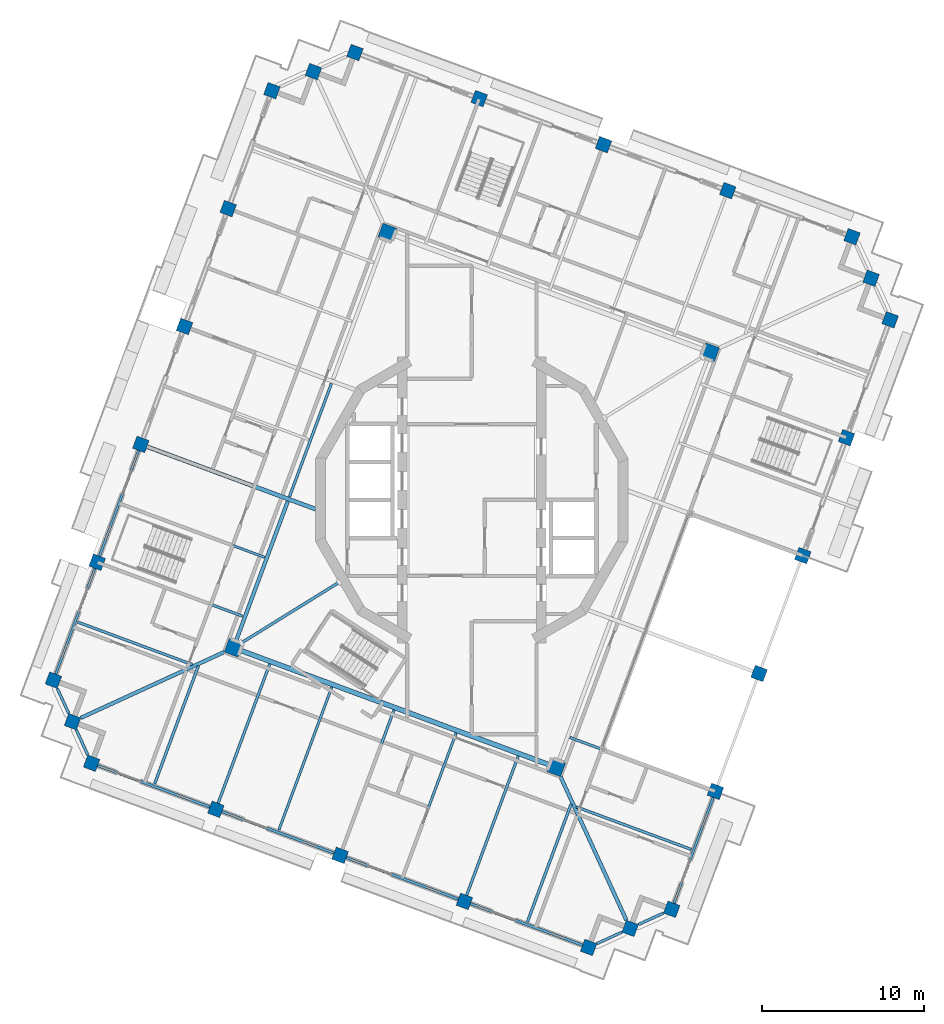
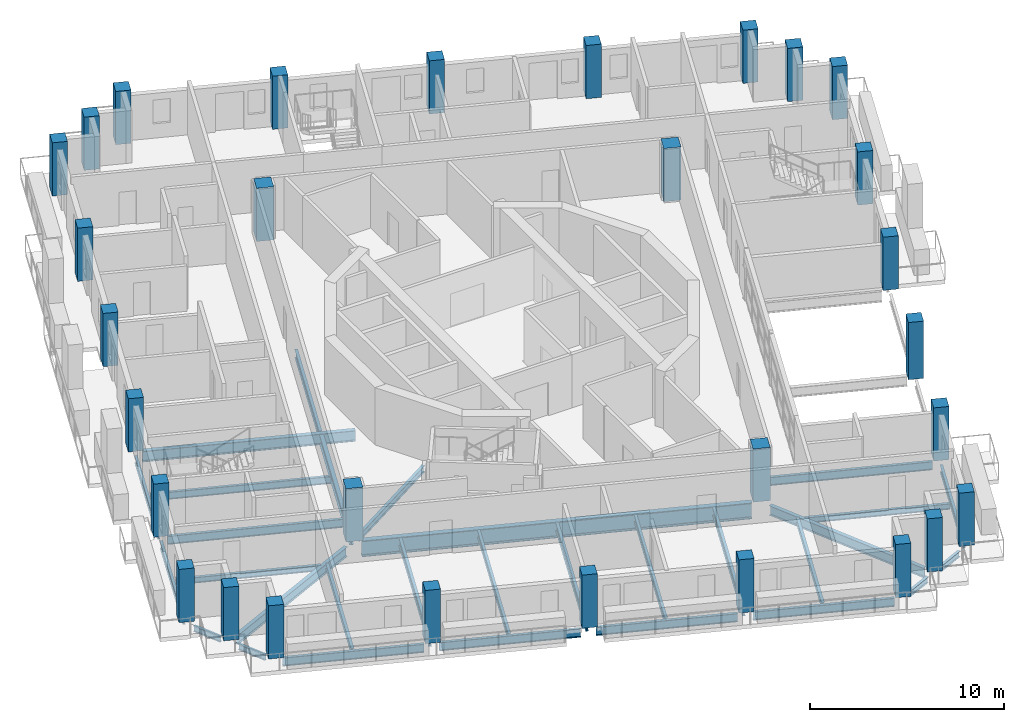
# One storey, part 1 of 19: 30 beams, 30 columns.
"""IFC4 building model written with IfcOpenShell, lengths in metres."""

from ifc_helpers import new_model, si_unit, direction, frame, origin, origin_2d, place, context, subcontext, project, spatial, rectangle, i_section, extrude, material, material_profile, profile_set, type_object, element, save


model = new_model("IFC4")

# Units and contexts
model_context = context("Model", 3, precision=1e-05, world=origin(), true_north=direction((0.0, 1.0)))
body_context = subcontext(model_context, "Body", "Model", "MODEL_VIEW")
ifc_project = project(units=[si_unit("LENGTHUNIT", "METRE"), si_unit("AREAUNIT", "SQUARE_METRE"), si_unit("VOLUMEUNIT", "CUBIC_METRE"), si_unit("PLANEANGLEUNIT", "RADIAN"), si_unit("MASSUNIT", "GRAM", prefix="KILO")], contexts=[model_context])

# Site, building, storey
site_placement = place(None, origin())
site = spatial("IfcSite", under=ifc_project, at=site_placement, CompositionType="ELEMENT")
building_placement = place(site_placement, origin())
building = spatial("IfcBuilding", under=site, at=building_placement, Name="Cantera Rosa Tower", CompositionType="ELEMENT")
storey_placement = place(building_placement, frame((0.0, 0.0, 331.300048828125)))
storey = spatial("IfcBuildingStorey", under=building, at=storey_placement, Name="L74", CompositionType="ELEMENT", Elevation=331.300048828125)

# Columns
ifc_material_1 = material(Name="Concrete C50/60", Category="concrete")
ifc_material_profile_1 = material_profile(ifc_material_1, rectangle(XDim=0.800048828125, YDim=0.800048828125, at=origin_2d()), Name="RC COLUMN RC800X800 C50/60")
ifc_profile_set_1 = profile_set([ifc_material_profile_1], Name="Concrete C50/60")
column_type_1 = type_object("IfcColumnType", Name="RC COLUMN RC800X800 C50/60", PredefinedType="COLUMN", material=ifc_profile_set_1)
for number, where, z_axis, x_axis, name in (
    (1, (23.526611328125, 16.2900390625, 0.0), (0.0, 0.0, 1.0), (0.347481234489, 0.937686936924, 0.0), "C-Z6-01 L74"),
    (2, (15.83740234375, 19.139404296875, 0.0), (0.0, 0.0, 1.0), (0.347481234489, 0.937686936924, 0.0), "C-Z6-02 L74"),
    (3, (8.1484375, 21.98876953125, 0.0), (0.0, 0.0, 1.0), (0.347481234489, 0.937686936924, 0.0), "C-Z6-03 L74"),
    (4, (0.45947265625, 24.838134765625, 0.0), (0.0, 0.0, 1.0), (0.347481234489, 0.937686936924, 0.0), "C-Z6-04 L74"),
    (5, (-7.229736328125, 27.6875, 0.0), (0.0, 0.0, 1.0), (0.347481234489, 0.937686936924, 0.0), "C-Z6-05 L74"),
    (6, (-9.800048828125, 26.507080078125, 0.0), (0.0, 0.0, 1.0), (0.347481234489, 0.937686936924, 0.0), "C-Z6-06 L74"),
    (7, (-12.370361328125, 25.32666015625, 0.0), (0.0, 0.0, 1.0), (0.347481234489, 0.937686936924, 0.0), "C-Z6-07 L74"),
    (8, (-15.07373046875, 18.031494140625, 0.0), (0.0, 0.0, 1.0), (0.347481234489, 0.937686936924, 0.0), "C-Z6-08 L74"),
    (9, (-17.777099609375, 10.736328125, 0.0), (0.0, 0.0, 1.0), (0.347481234489, 0.937686936924, 0.0), "C-Z6-09 L74"),
    (10, (-20.48046875, 3.44091796875, 0.0), (0.0, 0.0, 1.0), (0.347481234489, 0.937686936924, 0.0), "C-Z6-10 L74"),
    (11, (-23.183837890625, -3.854248046875, 0.0), (0.0, 0.0, 1.0), (0.347481234489, 0.937686936924, 0.0), "C-Z6-11 L74"),
    (12, (-25.88720703125, -11.1494140625, 0.0), (0.0, 0.0, 1.0), (0.347481234489, 0.937686936924, 0.0), "C-Z6-12 L74"),
    (13, (-24.70703125, -13.7197265625, 0.0), (0.0, 0.0, 1.0), (0.347481234489, 0.937686936924, 0.0), "C-Z6-13 L74"),
    (14, (-23.526611328125, -16.2900390625, 0.0), (0.0, 0.0, 1.0), (0.347481234489, 0.937686936924, 0.0), "C-Z6-14 L74"),
    (15, (-15.83740234375, -19.139404296875, 0.0), (0.0, 0.0, 1.0), (0.347481234489, 0.937686936924, 0.0), "C-Z6-15 L74"),
    (16, (-8.1484375, -21.98876953125, 0.0), (0.0, 0.0, 1.0), (0.347481234489, 0.937686936924, 0.0), "C-Z6-16 L74"),
    (17, (-0.45947265625, -24.838134765625, 0.0), (0.0, 0.0, 1.0), (0.347481234489, 0.937686936924, 0.0), "C-Z6-17 L74"),
    (18, (7.229736328125, -27.6875, 0.0), (0.0, 0.0, 1.0), (0.347481234489, 0.937686936924, 0.0), "C-Z6-18 L74"),
    (19, (9.800048828125, -26.507080078125, 0.0), (0.0, 0.0, 1.0), (0.347481234489, 0.937686936924, 0.0), "C-Z6-19 L74"),
    (20, (12.370361328125, -25.32666015625, 0.0), (0.0, 0.0, 1.0), (0.347481234489, 0.937686936924, 0.0), "C-Z6-20 L74"),
    (21, (15.07373046875, -18.031494140625, 0.0), (0.0, 0.0, 1.0), (0.347481234489, 0.937686936924, 0.0), "C-Z6-21 L74"),
):
    element("IfcColumn", number, at=place(storey_placement, frame(where, z_axis=z_axis, x_axis=x_axis)), inside=storey, type_object=column_type_1, Name=name, PredefinedType="COLUMN", context=body_context, shape_type="SweptSolid", body=[
        extrude(rectangle(XDim=0.800048828125, YDim=0.800048828125, at=origin_2d()), origin(), (0.0, 0.0, 1.0), 3.349853515625),
    ])
column_placement = place(storey_placement, frame((17.777099609375, -10.736328125, -0.25), z_axis=(0.0, 0.0, 1.0), x_axis=(0.347481234489, 0.937686936924, 0.0)))
element("IfcColumn", 22, at=column_placement, inside=storey, type_object=column_type_1, Name="C-Z6-22 L74", PredefinedType="COLUMN", context=body_context, shape_type="SweptSolid", body=[
    extrude(rectangle(XDim=0.800048828125, YDim=0.800048828125, at=origin_2d()), origin(), (0.0, 0.0, 1.0), 3.599853515625),
])
for number, where, z_axis, x_axis, name in (
    (23, (20.48046875, -3.44091796875, 0.0), (0.0, 0.0, 1.0), (0.347481234489, 0.937686936924, 0.0), "C-Z6-23 L74"),
    (24, (23.183837890625, 3.854248046875, 0.0), (0.0, 0.0, 1.0), (0.347481234489, 0.937686936924, 0.0), "C-Z6-24 L74"),
    (25, (25.88720703125, 11.1494140625, 0.0), (0.0, 0.0, 1.0), (0.347481234489, 0.937686936924, 0.0), "C-Z6-25 L74"),
    (26, (24.70703125, 13.7197265625, 0.0), (0.0, 0.0, 1.0), (0.347481234489, 0.937686936924, 0.0), "C-Z6-26 L74"),
):
    element("IfcColumn", number, at=place(storey_placement, frame(where, z_axis=z_axis, x_axis=x_axis)), inside=storey, type_object=column_type_1, Name=name, PredefinedType="COLUMN", context=body_context, shape_type="SweptSolid", body=[
        extrude(rectangle(XDim=0.800048828125, YDim=0.800048828125, at=origin_2d()), origin(), (0.0, 0.0, 1.0), 3.349853515625),
    ])
ifc_material_2 = material(Name="Concrete C50/60", Category="concrete")
ifc_material_profile_2 = material_profile(ifc_material_2, rectangle(XDim=0.89990234375, YDim=0.89990234375, at=origin_2d()), Name="RC RING COLUMN RC900X900 C50/60")
ifc_profile_set_2 = profile_set([ifc_material_profile_2], Name="Concrete C50/60")
column_type_2 = type_object("IfcColumnType", Name="RC RING COLUMN RC900X900 C50/60", PredefinedType="COLUMN", material=ifc_profile_set_2)
for number, where, z_axis, x_axis, name in (
    (27, (-5.225830078125, 16.546875, 0.0), (0.0, 0.0, 1.0), (0.347481234489, 0.937686936924, 0.0), "CI-Z6-1 L74"),
    (28, (-14.746826171875, -9.145751953125, 0.0), (0.0, 0.0, 1.0), (0.347481234489, 0.937686936924, 0.0), "CI-Z6-2 L74"),
    (29, (5.225830078125, -16.546875, 0.0), (0.0, 0.0, 1.0), (0.347481234489, 0.937686936924, 0.0), "CI-Z6-3 L74"),
    (30, (14.746826171875, 9.145751953125, 0.0), (0.0, 0.0, 1.0), (0.347481234489, 0.937686936924, 0.0), "CI-Z6-4 L74"),
):
    element("IfcColumn", number, at=place(storey_placement, frame(where, z_axis=z_axis, x_axis=x_axis)), inside=storey, type_object=column_type_2, Name=name, PredefinedType="COLUMN", context=body_context, shape_type="SweptSolid", body=[
        extrude(rectangle(XDim=0.89990234375, YDim=0.89990234375, at=origin_2d()), origin(), (0.0, 0.0, 1.0), 3.349853515625),
    ])

# Beams
ifc_material_3 = material(Name="Steel ASTM A992 (Fy 345 MPa)", Category="steel")
ifc_material_profile_3 = material_profile(ifc_material_3, i_section(OverallWidth=0.302001953125, OverallDepth=1.010009765625, WebThickness=0.02099609375, FlangeThickness=0.0400390625, FilletRadius=0.030029296875, at=origin_2d()), Name="W1000X350")
ifc_profile_set_3 = profile_set([ifc_material_profile_3], Name="Steel ASTM A992 (Fy 345 MPa)")
beam_type_1 = type_object("IfcBeamType", Name="STEEL BEAM W1000X350", PredefinedType="BEAM", material=ifc_profile_set_3)
beam_1_placement = place(storey_placement, frame((4.803955078125, -16.390625, -0.755126953125), z_axis=(-0.937687392162, 0.347480006017, 0.0), x_axis=(-0.347480006017, -0.937687392162, 0.0)))
element("IfcBeam", 31, at=beam_1_placement, inside=storey, type_object=beam_type_1, Name="RB-Z6-08 L74", PredefinedType="BEAM", context=body_context, shape_type="SweptSolid", body=[
    extrude(i_section(OverallWidth=0.302001953125, OverallDepth=1.010009765625, WebThickness=0.02099609375, FlangeThickness=0.0400390625, FilletRadius=0.030029296875, at=origin_2d()), origin(), (0.0, 0.0, 1.0), 20.400146484375),
])
ifc_material_4 = material(Name="Steel ASTM A992 (Fy 345 MPa)", Category="steel")
ifc_material_profile_4 = material_profile(ifc_material_4, i_section(OverallWidth=0.177978515625, OverallDepth=0.406005859375, WebThickness=0.0078125, FlangeThickness=0.0126953125, FilletRadius=0.01025390625, at=origin_2d()), Name="W410X60")
ifc_profile_set_4 = profile_set([ifc_material_profile_4], Name="Steel ASTM A992 (Fy 345 MPa)")
beam_type_2 = type_object("IfcBeamType", Name="STEEL BEAM W410X60", PredefinedType="BEAM", material=ifc_profile_set_4)
beam_2_placement = place(storey_placement, frame((-14.262451171875, -8.84521484375, -0.453125), z_axis=(0.849840939707, 0.527039255841, 0.0), x_axis=(-0.527039255841, 0.849840939707, 0.0)))
element("IfcBeam", 32, at=beam_2_placement, inside=storey, type_object=beam_type_2, Name="PG-Z6-01 L74", PredefinedType="BEAM", context=body_context, shape_type="SweptSolid", body=[
    extrude(i_section(OverallWidth=0.177978515625, OverallDepth=0.406005859375, WebThickness=0.0078125, FlangeThickness=0.0126953125, FilletRadius=0.01025390625, at=origin_2d()), origin(), (0.0, 0.0, 1.0), 7.118408203125),
])
ifc_material_5 = material(Name="Steel ASTM A992 (Fy 345 MPa)", Category="steel")
ifc_material_profile_5 = material_profile(ifc_material_5, i_section(OverallWidth=0.166015625, OverallDepth=0.528076171875, WebThickness=0.009765625, FlangeThickness=0.013671875, FilletRadius=0.0126953125, at=origin_2d()), Name="W530X74")
ifc_profile_set_5 = profile_set([ifc_material_profile_5], Name="Steel ASTM A992 (Fy 345 MPa)")
beam_type_3 = type_object("IfcBeamType", Name="STEEL BEAM W530X74", PredefinedType="BEAM", material=ifc_profile_set_5)
for number, where, z_axis, x_axis, name in (
    (33, (-22.808837890625, -3.9931640625, -0.51416015625), (0.937688566, -0.347476838353, 0.0), (0.347476838353, 0.937688566, 0.0), "G-Z6-07 L74"),
    (34, (14.69873046875, -17.892333984375, -0.51416015625), (-0.937688566, 0.347476838353, 0.0), (-0.347476838353, -0.937688566, 0.0), "G-Z6-08 L74"),
    (35, (-15.698486328125, -18.764404296875, -0.51416015625), (0.347476838353, 0.937688566, 0.0), (-0.937688566, 0.347476838353, 0.0), "G-Z6-12 L74"),
    (36, (-8.009521484375, -21.61376953125, -0.51416015625), (0.34750017104, 0.937679919337, 0.0), (-0.937679919337, 0.34750017104, 0.0), "G-Z6-13 L74"),
    (37, (-0.3203125, -24.463134765625, -0.51416015625), (0.347476838353, 0.937688566, 0.0), (-0.937688566, 0.347476838353, 0.0), "G-Z6-14 L74"),
):
    element("IfcBeam", number, at=place(storey_placement, frame(where, z_axis=z_axis, x_axis=x_axis)), inside=storey, type_object=beam_type_3, Name=name, PredefinedType="BEAM", context=body_context, shape_type="SweptSolid", body=[
        extrude(i_section(OverallWidth=0.166015625, OverallDepth=0.528076171875, WebThickness=0.009765625, FlangeThickness=0.013671875, FilletRadius=0.0126953125, at=origin_2d()), origin(), (0.0, 0.0, 1.0), 9.199951171875),
    ])
beam_3_placement = place(storey_placement, frame((-11.285888671875, 0.19384765625, -0.51416015625), z_axis=(0.347486566882, 0.937684960867, 0.0), x_axis=(-0.937684960867, 0.347486566882, 0.0)))
element("IfcBeam", 38, at=beam_3_placement, inside=storey, type_object=beam_type_3, Name="RB-Z6-02 L74", PredefinedType="BEAM", context=body_context, shape_type="SweptSolid", body=[
    extrude(i_section(OverallWidth=0.166015625, OverallDepth=0.528076171875, WebThickness=0.009765625, FlangeThickness=0.013671875, FilletRadius=0.0126953125, at=origin_2d()), origin(), (0.0, 0.0, 1.0), 7.479736328125),
])
ifc_material_6 = material(Name="Steel ASTM A992 (Fy 345 MPa)", Category="steel")
ifc_material_profile_6 = material_profile(ifc_material_6, i_section(OverallWidth=0.22802734375, OverallDepth=0.60205078125, WebThickness=0.010498046875, FlangeThickness=0.014892578125, FilletRadius=0.0126953125, at=origin_2d()), Name="W610X101")
ifc_profile_set_6 = profile_set([ifc_material_profile_6], Name="Steel ASTM A992 (Fy 345 MPa)")
beam_type_4 = type_object("IfcBeamType", Name="STEEL BEAM W610X101", PredefinedType="BEAM", material=ifc_profile_set_6)
for number, where, z_axis, x_axis, name in (
    (39, (-24.19287109375, -13.483642578125, -0.551025390625), (0.908747889595, 0.417345508131, 0.0), (-0.417345508131, 0.908747889595, 0.0), "CB-Z6-02 L74"),
    (40, (9.56396484375, -25.992919921875, -0.551025390625), (-0.417345508131, 0.908747889595, 0.0), (-0.908747889595, -0.417345508131, 0.0), "CB-Z6-03 L74"),
):
    element("IfcBeam", number, at=place(storey_placement, frame(where, z_axis=z_axis, x_axis=x_axis)), inside=storey, type_object=beam_type_4, Name=name, PredefinedType="BEAM", context=body_context, shape_type="SweptSolid", body=[
        extrude(i_section(OverallWidth=0.22802734375, OverallDepth=0.60205078125, WebThickness=0.010498046875, FlangeThickness=0.014892578125, FilletRadius=0.0126953125, at=origin_2d()), origin(), (0.0, 0.0, 1.0), 9.758056640625),
    ])
beam_4_placement = place(storey_placement, frame((-14.590576171875, -8.7236328125, -0.551025390625), z_axis=(0.347498244979, 0.937680633125, 0.0), x_axis=(-0.937680633125, 0.347498244979, 0.0)))
element("IfcBeam", 41, at=beam_4_placement, inside=storey, type_object=beam_type_4, Name="RB-Z6-01 L74", PredefinedType="BEAM", context=body_context, shape_type="SweptSolid", body=[
    extrude(i_section(OverallWidth=0.22802734375, OverallDepth=0.60205078125, WebThickness=0.010498046875, FlangeThickness=0.014892578125, FilletRadius=0.0126953125, at=origin_2d()), origin(), (0.0, 0.0, 1.0), 9.2099609375),
])
ifc_material_7 = material(Name="Steel ASTM A992 (Fy 345 MPa)", Category="steel")
ifc_material_profile_7 = material_profile(ifc_material_7, i_section(OverallWidth=0.25390625, OverallDepth=0.677978515625, WebThickness=0.01171875, FlangeThickness=0.016357421875, FilletRadius=0.01513671875, at=origin_2d()), Name="W690X125")
ifc_profile_set_7 = profile_set([ifc_material_profile_7], Name="Steel ASTM A992 (Fy 345 MPa)")
beam_type_5 = type_object("IfcBeamType", Name="STEEL BEAM W690X125", PredefinedType="BEAM", material=ifc_profile_set_7)
beam_5_placement = place(storey_placement, frame((-20.10546875, 3.302001953125, -0.589111328125), z_axis=(0.937687416585, -0.347479940109, 0.0), x_axis=(0.347479940109, 0.937687416585, 0.0)))
element("IfcBeam", 42, at=beam_5_placement, inside=storey, type_object=beam_type_5, Name="G-Z6-06 L74", PredefinedType="BEAM", context=body_context, shape_type="SweptSolid", body=[
    extrude(i_section(OverallWidth=0.25390625, OverallDepth=0.677978515625, WebThickness=0.01171875, FlangeThickness=0.016357421875, FilletRadius=0.01513671875, at=origin_2d()), origin(), (0.0, 0.0, 1.0), 11.140380859375),
])
ifc_material_8 = material(Name="Steel ASTM A992 (Fy 345 MPa)", Category="steel")
ifc_material_profile_8 = material_profile(ifc_material_8, i_section(OverallWidth=0.1708984375, OverallDepth=0.35595703125, WebThickness=0.00732421875, FlangeThickness=0.01171875, FilletRadius=0.010009765625, at=origin_2d()), Name="W360X51")
ifc_profile_set_8 = profile_set([ifc_material_profile_8], Name="Steel ASTM A992 (Fy 345 MPa)")
beam_type_6 = type_object("IfcBeamType", Name="STEEL JOIST W360X51", PredefinedType="JOIST", material=ifc_profile_set_8)
beam_6_placement = place(storey_placement, frame((-24.39501953125, -7.553955078125, -0.427978515625), z_axis=(0.937686277131, -0.347483014951, 0.0), x_axis=(0.347483014951, 0.937686277131, 0.0)))
element("IfcBeam", 43, at=beam_6_placement, inside=storey, type_object=beam_type_6, Name="B-Z6-09 L74", PredefinedType="JOIST", context=body_context, shape_type="SweptSolid", body=[
    extrude(i_section(OverallWidth=0.1708984375, OverallDepth=0.35595703125, WebThickness=0.00732421875, FlangeThickness=0.01171875, FilletRadius=0.010009765625, at=origin_2d()), origin(), (0.0, 0.0, 1.0), 7.590087890625),
])
beam_7_placement = place(storey_placement, frame((13.581298828125, -21.626953125, -0.427978515625), z_axis=(-0.93768239316, 0.347493495705, 0.0), x_axis=(-0.347493495705, -0.93768239316, 0.0)))
element("IfcBeam", 44, at=beam_7_placement, inside=storey, type_object=beam_type_6, Name="B-Z6-10 L74", PredefinedType="JOIST", context=body_context, shape_type="SweptSolid", body=[
    extrude(i_section(OverallWidth=0.1708984375, OverallDepth=0.35595703125, WebThickness=0.00732421875, FlangeThickness=0.01171875, FilletRadius=0.010009765625, at=origin_2d()), origin(), (0.0, 0.0, 1.0), 7.58984375),
])
for number, where, z_axis, x_axis, name in (
    (45, (-19.6298828125, -17.573974609375, -0.427978515625), (0.347491728417, 0.937683048093, 0.0), (-0.937683048093, 0.347491728417, 0.0), "B-Z6-15 L74"),
    (46, (3.437255859375, -26.1220703125, -0.427978515625), (0.347491728417, 0.937683048093, 0.0), (-0.937683048093, 0.347491728417, 0.0), "B-Z6-18 L74"),
):
    element("IfcBeam", number, at=place(storey_placement, frame(where, z_axis=z_axis, x_axis=x_axis)), inside=storey, type_object=beam_type_6, Name=name, PredefinedType="JOIST", context=body_context, shape_type="SweptSolid", body=[
        extrude(i_section(OverallWidth=0.1708984375, OverallDepth=0.35595703125, WebThickness=0.00732421875, FlangeThickness=0.01171875, FilletRadius=0.010009765625, at=origin_2d()), origin(), (0.0, 0.0, 1.0), 7.800048828125),
    ])
ifc_material_9 = material(Name="Steel ASTM A992 (Fy 345 MPa)", Category="steel")
ifc_material_profile_9 = material_profile(ifc_material_9, i_section(OverallWidth=0.154052734375, OverallDepth=0.4599609375, WebThickness=0.009033203125, FlangeThickness=0.015380859375, FilletRadius=0.01025390625, at=origin_2d()), Name="W460X68")
ifc_profile_set_9 = profile_set([ifc_material_profile_9], Name="Steel ASTM A992 (Fy 345 MPa)")
beam_type_7 = type_object("IfcBeamType", Name="STEEL JOIST W460X68", PredefinedType="JOIST", material=ifc_profile_set_9)
beam_8_placement = place(storey_placement, frame((-21.691650390625, -0.2587890625, -0.47998046875), z_axis=(0.937689536508, -0.347474219364, 0.0), x_axis=(0.347474219364, 0.937689536508, 0.0)))
element("IfcBeam", 47, at=beam_8_placement, inside=storey, type_object=beam_type_7, Name="B-Z6-08 L74", PredefinedType="JOIST", context=body_context, shape_type="SweptSolid", body=[
    extrude(i_section(OverallWidth=0.154052734375, OverallDepth=0.4599609375, WebThickness=0.009033203125, FlangeThickness=0.015380859375, FilletRadius=0.01025390625, at=origin_2d()), origin(), (0.0, 0.0, 1.0), 9.4501953125),
])
for number, where, z_axis, x_axis, name in (
    (48, (-11.94091796875, -20.42333984375, -0.47998046875), (0.347482637031, 0.937686417179, 0.0), (-0.937686417179, 0.347482637031, 0.0), "B-Z6-16 L74"),
    (49, (-4.251708984375, -23.272705078125, -0.47998046875), (0.347482637031, 0.937686417179, 0.0), (-0.937686417179, 0.347482637031, 0.0), "B-Z6-17 L74"),
):
    element("IfcBeam", number, at=place(storey_placement, frame(where, z_axis=z_axis, x_axis=x_axis)), inside=storey, type_object=beam_type_7, Name=name, PredefinedType="JOIST", context=body_context, shape_type="SweptSolid", body=[
        extrude(i_section(OverallWidth=0.154052734375, OverallDepth=0.4599609375, WebThickness=0.009033203125, FlangeThickness=0.015380859375, FilletRadius=0.01025390625, at=origin_2d()), origin(), (0.0, 0.0, 1.0), 9.449951171875),
    ])
ifc_material_10 = material(Name="Steel ASTM A992 (Fy 345 MPa)", Category="steel")
ifc_material_profile_10 = material_profile(ifc_material_10, i_section(OverallWidth=0.1708984375, OverallDepth=0.35595703125, WebThickness=0.00732421875, FlangeThickness=0.01171875, FilletRadius=0.010009765625, at=origin_2d()), Name="W360X51")
ifc_profile_set_10 = profile_set([ifc_material_profile_10], Name="Steel ASTM A992 (Fy 345 MPa)")
beam_type_8 = type_object("IfcBeamType", Name="STEEL SPANDREL BEAM W360X51", PredefinedType="SPANDREL", material=ifc_profile_set_10)
for number, where, z_axis, x_axis, name in (
    (50, (-25.651123046875, -11.66357421875, -0.427978515625), (0.417268968709, -0.908783036677, 0.0), (0.908783036677, 0.417268968709, 0.0), "EB-Z6-12 L74"),
    (51, (-24.470947265625, -14.23388671875, -0.427978515625), (0.417387791404, -0.908728469669, 0.0), (0.908728469669, 0.417387791404, 0.0), "EB-Z6-13 L74"),
):
    element("IfcBeam", number, at=place(storey_placement, frame(where, z_axis=z_axis, x_axis=x_axis)), inside=storey, type_object=beam_type_8, Name=name, PredefinedType="SPANDREL", context=body_context, shape_type="SweptSolid", body=[
        extrude(i_section(OverallWidth=0.1708984375, OverallDepth=0.35595703125, WebThickness=0.00732421875, FlangeThickness=0.01171875, FilletRadius=0.010009765625, at=origin_2d()), origin(), (0.0, 0.0, 1.0), 1.69677734375),
    ])
for number, where, z_axis, x_axis, name in (
    (52, (7.74365234375, -27.451416015625, -0.427978515625), (0.908753529973, 0.417333226286, 0.0), (-0.417333226286, 0.908753529973, 0.0), "EB-Z6-18 L74"),
    (53, (10.31396484375, -26.27099609375, -0.427978515625), (0.908753529973, 0.417333226286, 0.0), (-0.417333226286, 0.908753529973, 0.0), "EB-Z6-19 L74"),
):
    element("IfcBeam", number, at=place(storey_placement, frame(where, z_axis=z_axis, x_axis=x_axis)), inside=storey, type_object=beam_type_8, Name=name, PredefinedType="SPANDREL", context=body_context, shape_type="SweptSolid", body=[
        extrude(i_section(OverallWidth=0.1708984375, OverallDepth=0.35595703125, WebThickness=0.00732421875, FlangeThickness=0.01171875, FilletRadius=0.010009765625, at=origin_2d()), origin(), (0.0, 0.0, 1.0), 1.697021484375),
    ])
ifc_material_11 = material(Name="Steel ASTM A992 (Fy 345 MPa)", Category="steel")
ifc_material_profile_11 = material_profile(ifc_material_11, i_section(OverallWidth=0.154052734375, OverallDepth=0.4599609375, WebThickness=0.009033203125, FlangeThickness=0.015380859375, FilletRadius=0.01025390625, at=origin_2d()), Name="W460X68")
ifc_profile_set_11 = profile_set([ifc_material_profile_11], Name="Steel ASTM A992 (Fy 345 MPa)")
beam_type_9 = type_object("IfcBeamType", Name="STEEL SPANDREL BEAM W460X68", PredefinedType="SPANDREL", material=ifc_profile_set_11)
beam_9_placement = place(storey_placement, frame((-20.61962890625, 3.06591796875, -0.47998046875), z_axis=(-0.347471562124, -0.937690521182, 0.0), x_axis=(0.937690521182, -0.347471562124, 0.0)))
element("IfcBeam", 54, at=beam_9_placement, inside=storey, type_object=beam_type_9, Name="EB-Z6-10 L74", PredefinedType="SPANDREL", context=body_context, shape_type="SweptSolid", body=[
    extrude(i_section(OverallWidth=0.154052734375, OverallDepth=0.4599609375, WebThickness=0.009033203125, FlangeThickness=0.015380859375, FilletRadius=0.01025390625, at=origin_2d()), origin(), (0.0, 0.0, 1.0), 6.979736328125),
])
beam_10_placement = place(storey_placement, frame((-23.322998046875, -4.229248046875, -0.47998046875), z_axis=(-0.347460165909, -0.937694744097, 0.0), x_axis=(0.937694744097, -0.347460165909, 0.0)))
element("IfcBeam", 55, at=beam_10_placement, inside=storey, type_object=beam_type_9, Name="EB-Z6-11 L74", PredefinedType="SPANDREL", context=body_context, shape_type="SweptSolid", body=[
    extrude(i_section(OverallWidth=0.154052734375, OverallDepth=0.4599609375, WebThickness=0.009033203125, FlangeThickness=0.015380859375, FilletRadius=0.01025390625, at=origin_2d()), origin(), (0.0, 0.0, 1.0), 6.97998046875),
])
beam_11_placement = place(storey_placement, frame((12.50927734375, -24.95166015625, -0.47998046875), z_axis=(0.347490919506, 0.937683347864, 0.0), x_axis=(-0.937683347864, 0.347490919506, 0.0)))
element("IfcBeam", 56, at=beam_11_placement, inside=storey, type_object=beam_type_9, Name="EB-Z6-20 L74", PredefinedType="SPANDREL", context=body_context, shape_type="SweptSolid", body=[
    extrude(i_section(OverallWidth=0.154052734375, OverallDepth=0.4599609375, WebThickness=0.009033203125, FlangeThickness=0.015380859375, FilletRadius=0.01025390625, at=origin_2d()), origin(), (0.0, 0.0, 1.0), 6.980224609375),
])
ifc_material_12 = material(Name="Steel ASTM A992 (Fy 345 MPa)", Category="steel")
ifc_material_profile_12 = material_profile(ifc_material_12, i_section(OverallWidth=0.166015625, OverallDepth=0.528076171875, WebThickness=0.009765625, FlangeThickness=0.013671875, FilletRadius=0.0126953125, at=origin_2d()), Name="W530X74")
ifc_profile_set_12 = profile_set([ifc_material_profile_12], Name="Steel ASTM A992 (Fy 345 MPa)")
beam_type_10 = type_object("IfcBeamType", Name="STEEL SPANDREL BEAM W530X74", PredefinedType="SPANDREL", material=ifc_profile_set_12)
beam_12_placement = place(storey_placement, frame((-23.1513671875, -16.428955078125, -0.51416015625), z_axis=(0.937676706507, -0.347508840281, 0.0), x_axis=(0.347508840281, 0.937676706507, 0.0)))
element("IfcBeam", 57, at=beam_12_placement, inside=storey, type_object=beam_type_10, Name="EB-Z6-14 L74", PredefinedType="SPANDREL", context=body_context, shape_type="SweptSolid", body=[
    extrude(i_section(OverallWidth=0.166015625, OverallDepth=0.528076171875, WebThickness=0.009765625, FlangeThickness=0.013671875, FilletRadius=0.0126953125, at=origin_2d()), origin(), (0.0, 0.0, 1.0), 7.39990234375),
])
for number, where, z_axis, x_axis, name in (
    (58, (-15.46240234375, -19.2783203125, -0.51416015625), (0.937680690562, -0.34749808999, 0.0), (0.34749808999, 0.937680690562, 0.0), "EB-Z6-15 L74"),
    (59, (-7.7734375, -22.127685546875, -0.51416015625), (0.937680690562, -0.34749808999, 0.0), (0.34749808999, 0.937680690562, 0.0), "EB-Z6-16 L74"),
):
    element("IfcBeam", number, at=place(storey_placement, frame(where, z_axis=z_axis, x_axis=x_axis)), inside=storey, type_object=beam_type_10, Name=name, PredefinedType="SPANDREL", context=body_context, shape_type="SweptSolid", body=[
        extrude(i_section(OverallWidth=0.166015625, OverallDepth=0.528076171875, WebThickness=0.009765625, FlangeThickness=0.013671875, FilletRadius=0.0126953125, at=origin_2d()), origin(), (0.0, 0.0, 1.0), 7.400146484375),
    ])
beam_13_placement = place(storey_placement, frame((-0.084228515625, -24.97705078125, -0.51416015625), z_axis=(0.937687456783, -0.347479831633, 0.0), x_axis=(0.347479831633, 0.937687456783, 0.0)))
element("IfcBeam", 60, at=beam_13_placement, inside=storey, type_object=beam_type_10, Name="EB-Z6-17 L74", PredefinedType="SPANDREL", context=body_context, shape_type="SweptSolid", body=[
    extrude(i_section(OverallWidth=0.166015625, OverallDepth=0.528076171875, WebThickness=0.009765625, FlangeThickness=0.013671875, FilletRadius=0.0126953125, at=origin_2d()), origin(), (0.0, 0.0, 1.0), 7.39990234375),
])

save(model, "model.ifc")
